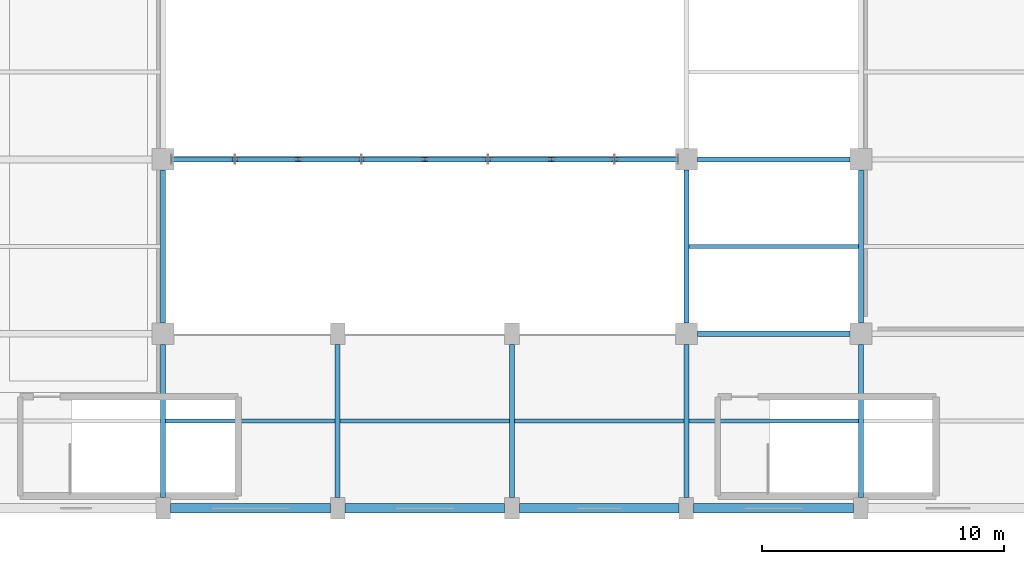
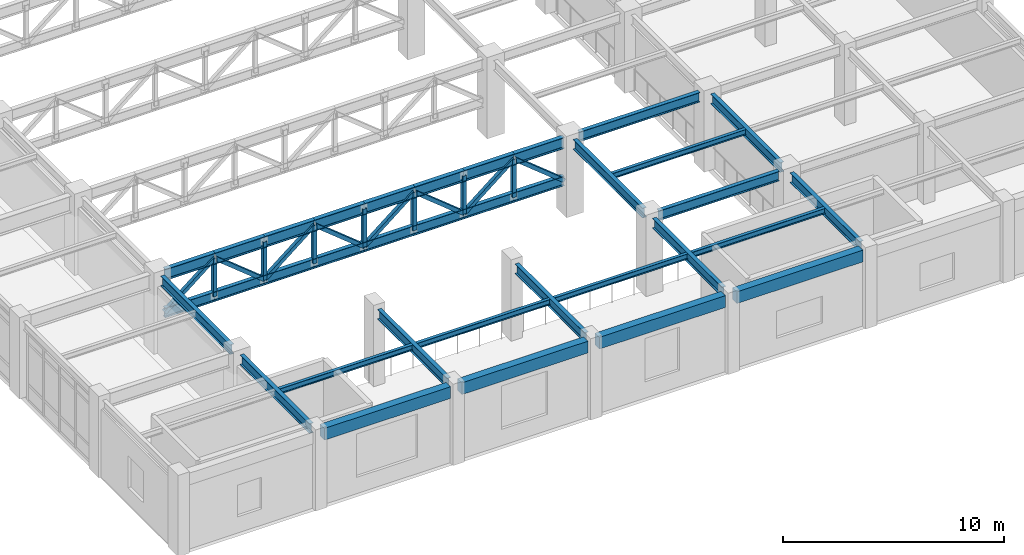
# One storey, part 47 of 106: 31 members, 19 beams.
"""IFC4 building model written with IfcOpenShell, lengths in metres."""

from ifc_helpers import new_model, si_unit, direction, frame, origin, origin_2d, place, context, subcontext, project, spatial, rectangle, hollow_rectangle, i_section, extrude, material, material_profile, profile_set, type_object, element, save


model = new_model("IFC4")

# Units and contexts
model_context = context("Model", 3, precision=1e-05, world=origin(), true_north=direction((0.0, 1.0)))
body_context = subcontext(model_context, "Body", "Model", "MODEL_VIEW")
ifc_project = project(units=[si_unit("LENGTHUNIT", "METRE"), si_unit("AREAUNIT", "SQUARE_METRE"), si_unit("VOLUMEUNIT", "CUBIC_METRE"), si_unit("PLANEANGLEUNIT", "RADIAN"), si_unit("MASSUNIT", "GRAM", prefix="KILO")], contexts=[model_context])

# Site, building, storey
site_placement = place(None, origin())
site = spatial("IfcSite", under=ifc_project, at=site_placement, CompositionType="ELEMENT")
building_placement = place(site_placement, origin())
building = spatial("IfcBuilding", under=site, at=building_placement, Name="Carrowvane Square Congress Hotel", CompositionType="ELEMENT")
storey_placement = place(building_placement, frame((0.0, 0.0, 10.5)))
storey = spatial("IfcBuildingStorey", under=building, at=storey_placement, Name="L02", CompositionType="ELEMENT", Elevation=10.5)

# Beams
ifc_material_1 = material(Name="Steel S355", Category="steel")
ifc_material_profile_1 = material_profile(ifc_material_1, i_section(OverallWidth=0.165771484375, OverallDepth=0.306640625, WebThickness=0.006591796875, FlangeThickness=0.01171875, FilletRadius=0.0087890625, at=origin_2d()), Name="UKB 305x165x46")
ifc_profile_set_1 = profile_set([ifc_material_profile_1], Name="Steel S355")
beam_type_1 = type_object("IfcBeamType", Name="BM-ST-UKB305", PredefinedType="JOIST", material=ifc_profile_set_1)
beam_1_placement = place(storey_placement, frame((141.304931640625, 9.0, 4.066650390625), z_axis=(1.0, 0.0, 0.0), x_axis=(0.0, 1.0, 0.0)))
element("IfcBeam", 1, at=beam_1_placement, inside=storey, type_object=beam_type_1, Name="L03 secondary joist 19-20", PredefinedType="JOIST", context=body_context, shape_type="SweptSolid", body=[
    extrude(i_section(OverallWidth=0.165771484375, OverallDepth=0.306640625, WebThickness=0.006591796875, FlangeThickness=0.01171875, FilletRadius=0.0087890625, at=origin_2d()), origin(), (0.0, 0.0, 1.0), 6.989990234375),
])
beam_2_placement = place(storey_placement, frame((148.5048828125, 9.0, 4.066650390625), z_axis=(1.0, 0.0, 0.0), x_axis=(0.0, 1.0, 0.0)))
element("IfcBeam", 2, at=beam_2_placement, inside=storey, type_object=beam_type_1, Name="L03 secondary joist 20-21", PredefinedType="JOIST", context=body_context, shape_type="SweptSolid", body=[
    extrude(i_section(OverallWidth=0.165771484375, OverallDepth=0.306640625, WebThickness=0.006591796875, FlangeThickness=0.01171875, FilletRadius=0.0087890625, at=origin_2d()), origin(), (0.0, 0.0, 1.0), 6.990234375),
])
for number, where, z_axis, x_axis, name in (
    (3, (155.705078125, 9.0, 4.066650390625), (1.0, 0.0, 0.0), (0.0, 1.0, 0.0), "L03 secondary joist 21-22"),
    (4, (162.905029296875, 9.0, 4.066650390625), (1.0, 0.0, 0.0), (0.0, 1.0, 0.0), "L03 secondary joist 22-23"),
    (5, (162.905029296875, 16.199951171875, 4.066650390625), (1.0, 0.0, 0.0), (0.0, 1.0, 0.0), "L03 secondary joist 22-23"),
):
    element("IfcBeam", number, at=place(storey_placement, frame(where, z_axis=z_axis, x_axis=x_axis)), inside=storey, type_object=beam_type_1, Name=name, PredefinedType="JOIST", context=body_context, shape_type="SweptSolid", body=[
        extrude(i_section(OverallWidth=0.165771484375, OverallDepth=0.306640625, WebThickness=0.006591796875, FlangeThickness=0.01171875, FilletRadius=0.0087890625, at=origin_2d()), origin(), (0.0, 0.0, 1.0), 6.989990234375),
    ])
ifc_material_2 = material(Name="Steel S355", Category="steel")
ifc_material_profile_2 = material_profile(ifc_material_2, i_section(OverallWidth=0.2099609375, OverallDepth=0.53662109375, WebThickness=0.0107421875, FlangeThickness=0.017333984375, FilletRadius=0.0126953125, at=origin_2d()), Name="UKB 533x210x101")
ifc_profile_set_2 = profile_set([ifc_material_profile_2], Name="Steel S355")
beam_type_2 = type_object("IfcBeamType", Name="BM-ST-UKB533", PredefinedType="USERDEFINED", material=ifc_profile_set_2)
for number, where, z_axis, x_axis, name in (
    (6, (163.25, 12.60009765625, 3.95166015625), (1.0, 0.0, 0.0), (0.0, 1.0, 0.0), "L03 girder B/22-23"),
    (7, (163.25, 19.800048828125, 3.95166015625), (1.0, 0.0, 0.0), (0.0, 1.0, 0.0), "L03 girder C/22-23"),
):
    element("IfcBeam", number, at=place(storey_placement, frame(where, z_axis=z_axis, x_axis=x_axis)), inside=storey, type_object=beam_type_2, Name=name, ObjectType="GIRDER", PredefinedType="USERDEFINED", context=body_context, shape_type="SweptSolid", body=[
        extrude(i_section(OverallWidth=0.2099609375, OverallDepth=0.53662109375, WebThickness=0.0107421875, FlangeThickness=0.017333984375, FilletRadius=0.0126953125, at=origin_2d()), origin(), (0.0, 0.0, 1.0), 6.300048828125),
    ])
beam_3_placement = place(storey_placement, frame((141.199951171875, 5.85009765625, 3.95166015625), z_axis=(0.0, 1.0, 0.0), x_axis=(-1.0, 0.0, 0.0)))
element("IfcBeam", 8, at=beam_3_placement, inside=storey, type_object=beam_type_2, Name="L03 girder 19/A-B", ObjectType="GIRDER", PredefinedType="USERDEFINED", context=body_context, shape_type="SweptSolid", body=[
    extrude(i_section(OverallWidth=0.2099609375, OverallDepth=0.53662109375, WebThickness=0.0107421875, FlangeThickness=0.017333984375, FilletRadius=0.0126953125, at=origin_2d()), origin(), (0.0, 0.0, 1.0), 6.2998046875),
])
beam_4_placement = place(storey_placement, frame((141.199951171875, 13.050048828125, 3.95166015625), z_axis=(0.0, 1.0, 0.0), x_axis=(-1.0, 0.0, 0.0)))
element("IfcBeam", 9, at=beam_4_placement, inside=storey, type_object=beam_type_2, Name="L03 girder 19/B-C", ObjectType="GIRDER", PredefinedType="USERDEFINED", context=body_context, shape_type="SweptSolid", body=[
    extrude(i_section(OverallWidth=0.2099609375, OverallDepth=0.53662109375, WebThickness=0.0107421875, FlangeThickness=0.017333984375, FilletRadius=0.0126953125, at=origin_2d()), origin(), (0.0, 0.0, 1.0), 6.300048828125),
])
for number, where, z_axis, x_axis, name in (
    (10, (148.39990234375, 5.85009765625, 3.95166015625), (0.0, 1.0, 0.0), (-1.0, 0.0, 0.0), "L03 girder 20/A-B"),
    (11, (155.60009765625, 5.85009765625, 3.95166015625), (0.0, 1.0, 0.0), (-1.0, 0.0, 0.0), "L03 girder 21/A-B"),
    (12, (162.800048828125, 5.85009765625, 3.95166015625), (0.0, 1.0, 0.0), (-1.0, 0.0, 0.0), "L03 girder 22/A-B"),
):
    element("IfcBeam", number, at=place(storey_placement, frame(where, z_axis=z_axis, x_axis=x_axis)), inside=storey, type_object=beam_type_2, Name=name, ObjectType="GIRDER", PredefinedType="USERDEFINED", context=body_context, shape_type="SweptSolid", body=[
        extrude(i_section(OverallWidth=0.2099609375, OverallDepth=0.53662109375, WebThickness=0.0107421875, FlangeThickness=0.017333984375, FilletRadius=0.0126953125, at=origin_2d()), origin(), (0.0, 0.0, 1.0), 6.2998046875),
    ])
beam_5_placement = place(storey_placement, frame((162.800048828125, 13.050048828125, 3.95166015625), z_axis=(0.0, 1.0, 0.0), x_axis=(-1.0, 0.0, 0.0)))
element("IfcBeam", 13, at=beam_5_placement, inside=storey, type_object=beam_type_2, Name="L03 girder 22/B-C", ObjectType="GIRDER", PredefinedType="USERDEFINED", context=body_context, shape_type="SweptSolid", body=[
    extrude(i_section(OverallWidth=0.2099609375, OverallDepth=0.53662109375, WebThickness=0.0107421875, FlangeThickness=0.017333984375, FilletRadius=0.0126953125, at=origin_2d()), origin(), (0.0, 0.0, 1.0), 6.300048828125),
])
beam_6_placement = place(storey_placement, frame((170.0, 5.85009765625, 3.95166015625), z_axis=(0.0, 1.0, 0.0), x_axis=(-1.0, 0.0, 0.0)))
element("IfcBeam", 14, at=beam_6_placement, inside=storey, type_object=beam_type_2, Name="L03 girder 23/A-B", ObjectType="GIRDER", PredefinedType="USERDEFINED", context=body_context, shape_type="SweptSolid", body=[
    extrude(i_section(OverallWidth=0.2099609375, OverallDepth=0.53662109375, WebThickness=0.0107421875, FlangeThickness=0.017333984375, FilletRadius=0.0126953125, at=origin_2d()), origin(), (0.0, 0.0, 1.0), 6.2998046875),
])
beam_7_placement = place(storey_placement, frame((170.0, 13.050048828125, 3.95166015625), z_axis=(0.0, 1.0, 0.0), x_axis=(-1.0, 0.0, 0.0)))
element("IfcBeam", 15, at=beam_7_placement, inside=storey, type_object=beam_type_2, Name="L03 girder 23/B-C", ObjectType="GIRDER", PredefinedType="USERDEFINED", context=body_context, shape_type="SweptSolid", body=[
    extrude(i_section(OverallWidth=0.2099609375, OverallDepth=0.53662109375, WebThickness=0.0107421875, FlangeThickness=0.017333984375, FilletRadius=0.0126953125, at=origin_2d()), origin(), (0.0, 0.0, 1.0), 6.300048828125),
])

# Members
ifc_material_3 = material(Name="Steel S355", Category="steel")
ifc_material_profile_3 = material_profile(ifc_material_3, hollow_rectangle(XDim=0.199951171875, YDim=0.199951171875, WallThickness=0.012451171875, at=origin_2d()), Name="SHS 200x200x12.5")
ifc_profile_set_3 = profile_set([ifc_material_profile_3], Name="Steel S355")
member_type_1 = type_object("IfcMemberType", Name="MEM-BR-SHS200", PredefinedType="BRACE", material=ifc_profile_set_3)
member_1_placement = place(storey_placement, frame((141.550048828125, 19.800048828125, 1.800048828125), z_axis=(0.777980816374, 0.0, 0.628288030567), x_axis=(0.0, 1.0, 0.0)))
element("IfcMember", 16, at=member_1_placement, inside=storey, type_object=member_type_1, Name="Ballroom truss diagonal 3", PredefinedType="BRACE", context=body_context, shape_type="SweptSolid", body=[
    extrude(hollow_rectangle(XDim=0.199951171875, YDim=0.199951171875, WallThickness=0.012451171875, at=origin_2d()), origin(), (0.0, 0.0, 1.0), 3.358154296875),
])
member_2_placement = place(storey_placement, frame((144.16259765625, 19.800048828125, 3.909912109375), z_axis=(0.777952115247, 0.0, -0.628323568221), x_axis=(0.0, 1.0, 0.0)))
element("IfcMember", 17, at=member_2_placement, inside=storey, type_object=member_type_1, Name="Ballroom truss diagonal 6", PredefinedType="BRACE", context=body_context, shape_type="SweptSolid", body=[
    extrude(hollow_rectangle(XDim=0.199951171875, YDim=0.199951171875, WallThickness=0.012451171875, at=origin_2d()), origin(), (0.0, 0.0, 1.0), 3.35791015625),
])
for number, where, z_axis, x_axis, name in (
    (18, (146.77490234375, 19.800048828125, 1.800048828125), (0.777980816374, 0.0, 0.628288030567), (0.0, 1.0, 0.0), "Ballroom truss diagonal 10"),
    (19, (149.387451171875, 19.800048828125, 3.909912109375), (0.777980816374, 0.0, -0.628288030567), (0.0, 1.0, 0.0), "Ballroom truss diagonal 14"),
    (20, (152.0, 19.800048828125, 1.800048828125), (0.777980816374, 0.0, 0.628288030567), (0.0, 1.0, 0.0), "Ballroom truss diagonal 18"),
    (21, (154.612548828125, 19.800048828125, 3.909912109375), (0.777980816374, 0.0, -0.628288030567), (0.0, 1.0, 0.0), "Ballroom truss diagonal 22"),
):
    element("IfcMember", number, at=place(storey_placement, frame(where, z_axis=z_axis, x_axis=x_axis)), inside=storey, type_object=member_type_1, Name=name, PredefinedType="BRACE", context=body_context, shape_type="SweptSolid", body=[
        extrude(hollow_rectangle(XDim=0.199951171875, YDim=0.199951171875, WallThickness=0.012451171875, at=origin_2d()), origin(), (0.0, 0.0, 1.0), 3.358154296875),
    ])
member_3_placement = place(storey_placement, frame((157.22509765625, 19.800048828125, 1.800048828125), z_axis=(0.777952115247, 0.0, 0.628323568221), x_axis=(0.0, 1.0, 0.0)))
element("IfcMember", 22, at=member_3_placement, inside=storey, type_object=member_type_1, Name="Ballroom truss diagonal 26", PredefinedType="BRACE", context=body_context, shape_type="SweptSolid", body=[
    extrude(hollow_rectangle(XDim=0.199951171875, YDim=0.199951171875, WallThickness=0.012451171875, at=origin_2d()), origin(), (0.0, 0.0, 1.0), 3.35791015625),
])
member_4_placement = place(storey_placement, frame((159.83740234375, 19.800048828125, 3.909912109375), z_axis=(0.777980816374, 0.0, -0.628288030567), x_axis=(0.0, 1.0, 0.0)))
element("IfcMember", 23, at=member_4_placement, inside=storey, type_object=member_type_1, Name="Ballroom truss diagonal 30", PredefinedType="BRACE", context=body_context, shape_type="SweptSolid", body=[
    extrude(hollow_rectangle(XDim=0.199951171875, YDim=0.199951171875, WallThickness=0.012451171875, at=origin_2d()), origin(), (0.0, 0.0, 1.0), 3.358154296875),
])
ifc_material_4 = material(Name="Steel S355", Category="steel")
ifc_material_profile_4 = material_profile(ifc_material_4, hollow_rectangle(XDim=0.199951171875, YDim=0.199951171875, WallThickness=0.012451171875, at=origin_2d()), Name="SHS 200x200x12.5")
ifc_profile_set_4 = profile_set([ifc_material_profile_4], Name="Steel S355")
member_type_2 = type_object("IfcMemberType", Name="MEM-ST-SHS200", PredefinedType="STRUT", material=ifc_profile_set_4)
for number, where, z_axis, x_axis, name in (
    (24, (144.16259765625, 19.800048828125, 1.800048828125), (0.0, 0.0, 1.0), (1.0, 0.0, 0.0), "Ballroom truss vertical 7"),
    (25, (146.77490234375, 19.800048828125, 1.800048828125), (0.0, 0.0, 1.0), (1.0, 0.0, 0.0), "Ballroom truss vertical 11"),
    (26, (149.387451171875, 19.800048828125, 1.800048828125), (0.0, 0.0, 1.0), (1.0, 0.0, 0.0), "Ballroom truss vertical 15"),
    (27, (152.0, 19.800048828125, 1.800048828125), (0.0, 0.0, 1.0), (1.0, 0.0, 0.0), "Ballroom truss vertical 19"),
    (28, (154.612548828125, 19.800048828125, 1.800048828125), (0.0, 0.0, 1.0), (1.0, 0.0, 0.0), "Ballroom truss vertical 23"),
    (29, (157.22509765625, 19.800048828125, 1.800048828125), (0.0, 0.0, 1.0), (1.0, 0.0, 0.0), "Ballroom truss vertical 27"),
    (30, (159.83740234375, 19.800048828125, 1.800048828125), (0.0, 0.0, 1.0), (1.0, 0.0, 0.0), "Ballroom truss vertical 31"),
):
    element("IfcMember", number, at=place(storey_placement, frame(where, z_axis=z_axis, x_axis=x_axis)), inside=storey, type_object=member_type_2, Name=name, PredefinedType="STRUT", context=body_context, shape_type="SweptSolid", body=[
        extrude(hollow_rectangle(XDim=0.199951171875, YDim=0.199951171875, WallThickness=0.012451171875, at=origin_2d()), origin(), (0.0, 0.0, 1.0), 2.10986328125),
    ])
ifc_material_5 = material(Name="Steel S355", Category="steel")
ifc_material_profile_5 = material_profile(ifc_material_5, i_section(OverallWidth=0.2099609375, OverallDepth=0.53662109375, WebThickness=0.0107421875, FlangeThickness=0.017333984375, FilletRadius=0.0126953125, at=origin_2d()), Name="UKB 533x210x101")
ifc_profile_set_5 = profile_set([ifc_material_profile_5], Name="Steel S355")
member_type_3 = type_object("IfcMemberType", Name="MEM-TC-UKB533", PredefinedType="CHORD", material=ifc_profile_set_5)
member_5_placement = place(storey_placement, frame((141.550048828125, 19.800048828125, 1.800048828125), z_axis=(1.0, 0.0, 0.0), x_axis=(0.0, 1.0, 0.0)))
element("IfcMember", 31, at=member_5_placement, inside=storey, type_object=member_type_3, Name="Ballroom truss bottom chord 2", PredefinedType="CHORD", context=body_context, shape_type="SweptSolid", body=[
    extrude(i_section(OverallWidth=0.2099609375, OverallDepth=0.53662109375, WebThickness=0.0107421875, FlangeThickness=0.017333984375, FilletRadius=0.0126953125, at=origin_2d()), origin(), (0.0, 0.0, 1.0), 2.612548828125),
])
member_6_placement = place(storey_placement, frame((144.16259765625, 19.800048828125, 1.800048828125), z_axis=(1.0, 0.0, 0.0), x_axis=(0.0, 1.0, 0.0)))
element("IfcMember", 32, at=member_6_placement, inside=storey, type_object=member_type_3, Name="Ballroom truss bottom chord 5", PredefinedType="CHORD", context=body_context, shape_type="SweptSolid", body=[
    extrude(i_section(OverallWidth=0.2099609375, OverallDepth=0.53662109375, WebThickness=0.0107421875, FlangeThickness=0.017333984375, FilletRadius=0.0126953125, at=origin_2d()), origin(), (0.0, 0.0, 1.0), 2.6123046875),
])
for number, where, z_axis, x_axis, name in (
    (33, (146.77490234375, 19.800048828125, 1.800048828125), (1.0, 0.0, 0.0), (0.0, 1.0, 0.0), "Ballroom truss bottom chord 9"),
    (34, (149.387451171875, 19.800048828125, 1.800048828125), (1.0, 0.0, 0.0), (0.0, 1.0, 0.0), "Ballroom truss bottom chord 13"),
    (35, (152.0, 19.800048828125, 1.800048828125), (1.0, 0.0, 0.0), (0.0, 1.0, 0.0), "Ballroom truss bottom chord 17"),
    (36, (154.612548828125, 19.800048828125, 1.800048828125), (1.0, 0.0, 0.0), (0.0, 1.0, 0.0), "Ballroom truss bottom chord 21"),
):
    element("IfcMember", number, at=place(storey_placement, frame(where, z_axis=z_axis, x_axis=x_axis)), inside=storey, type_object=member_type_3, Name=name, PredefinedType="CHORD", context=body_context, shape_type="SweptSolid", body=[
        extrude(i_section(OverallWidth=0.2099609375, OverallDepth=0.53662109375, WebThickness=0.0107421875, FlangeThickness=0.017333984375, FilletRadius=0.0126953125, at=origin_2d()), origin(), (0.0, 0.0, 1.0), 2.612548828125),
    ])
member_7_placement = place(storey_placement, frame((157.22509765625, 19.800048828125, 1.800048828125), z_axis=(1.0, 0.0, 0.0), x_axis=(0.0, 1.0, 0.0)))
element("IfcMember", 37, at=member_7_placement, inside=storey, type_object=member_type_3, Name="Ballroom truss bottom chord 25", PredefinedType="CHORD", context=body_context, shape_type="SweptSolid", body=[
    extrude(i_section(OverallWidth=0.2099609375, OverallDepth=0.53662109375, WebThickness=0.0107421875, FlangeThickness=0.017333984375, FilletRadius=0.0126953125, at=origin_2d()), origin(), (0.0, 0.0, 1.0), 2.6123046875),
])
member_8_placement = place(storey_placement, frame((159.83740234375, 19.800048828125, 1.800048828125), z_axis=(1.0, 0.0, 0.0), x_axis=(0.0, 1.0, 0.0)))
element("IfcMember", 38, at=member_8_placement, inside=storey, type_object=member_type_3, Name="Ballroom truss bottom chord 29", PredefinedType="CHORD", context=body_context, shape_type="SweptSolid", body=[
    extrude(i_section(OverallWidth=0.2099609375, OverallDepth=0.53662109375, WebThickness=0.0107421875, FlangeThickness=0.017333984375, FilletRadius=0.0126953125, at=origin_2d()), origin(), (0.0, 0.0, 1.0), 2.612548828125),
])
ifc_material_6 = material(Name="Steel S355", Category="steel")
ifc_material_profile_6 = material_profile(ifc_material_6, i_section(OverallWidth=0.230224609375, OverallDepth=0.6171875, WebThickness=0.01318359375, FlangeThickness=0.022216796875, FilletRadius=0.0126953125, at=origin_2d()), Name="UKB 610x229x140")
ifc_profile_set_6 = profile_set([ifc_material_profile_6], Name="Steel S355")
member_type_4 = type_object("IfcMemberType", Name="MEM-TC-UKB610", PredefinedType="CHORD", material=ifc_profile_set_6)
member_9_placement = place(storey_placement, frame((141.550048828125, 19.800048828125, 3.909912109375), z_axis=(1.0, 0.0, 0.0), x_axis=(0.0, 1.0, 0.0)))
element("IfcMember", 39, at=member_9_placement, inside=storey, type_object=member_type_4, Name="Ballroom truss top chord 1", PredefinedType="CHORD", context=body_context, shape_type="SweptSolid", body=[
    extrude(i_section(OverallWidth=0.230224609375, OverallDepth=0.6171875, WebThickness=0.01318359375, FlangeThickness=0.022216796875, FilletRadius=0.0126953125, at=origin_2d()), origin(), (0.0, 0.0, 1.0), 2.612548828125),
])
member_10_placement = place(storey_placement, frame((144.16259765625, 19.800048828125, 3.909912109375), z_axis=(1.0, 0.0, 0.0), x_axis=(0.0, 1.0, 0.0)))
element("IfcMember", 40, at=member_10_placement, inside=storey, type_object=member_type_4, Name="Ballroom truss top chord 4", PredefinedType="CHORD", context=body_context, shape_type="SweptSolid", body=[
    extrude(i_section(OverallWidth=0.230224609375, OverallDepth=0.6171875, WebThickness=0.01318359375, FlangeThickness=0.022216796875, FilletRadius=0.0126953125, at=origin_2d()), origin(), (0.0, 0.0, 1.0), 2.6123046875),
])
for number, where, z_axis, x_axis, name in (
    (41, (146.77490234375, 19.800048828125, 3.909912109375), (1.0, 0.0, 0.0), (0.0, 1.0, 0.0), "Ballroom truss top chord 8"),
    (42, (149.387451171875, 19.800048828125, 3.909912109375), (1.0, 0.0, 0.0), (0.0, 1.0, 0.0), "Ballroom truss top chord 12"),
    (43, (152.0, 19.800048828125, 3.909912109375), (1.0, 0.0, 0.0), (0.0, 1.0, 0.0), "Ballroom truss top chord 16"),
    (44, (154.612548828125, 19.800048828125, 3.909912109375), (1.0, 0.0, 0.0), (0.0, 1.0, 0.0), "Ballroom truss top chord 20"),
):
    element("IfcMember", number, at=place(storey_placement, frame(where, z_axis=z_axis, x_axis=x_axis)), inside=storey, type_object=member_type_4, Name=name, PredefinedType="CHORD", context=body_context, shape_type="SweptSolid", body=[
        extrude(i_section(OverallWidth=0.230224609375, OverallDepth=0.6171875, WebThickness=0.01318359375, FlangeThickness=0.022216796875, FilletRadius=0.0126953125, at=origin_2d()), origin(), (0.0, 0.0, 1.0), 2.612548828125),
    ])
member_11_placement = place(storey_placement, frame((157.22509765625, 19.800048828125, 3.909912109375), z_axis=(1.0, 0.0, 0.0), x_axis=(0.0, 1.0, 0.0)))
element("IfcMember", 45, at=member_11_placement, inside=storey, type_object=member_type_4, Name="Ballroom truss top chord 24", PredefinedType="CHORD", context=body_context, shape_type="SweptSolid", body=[
    extrude(i_section(OverallWidth=0.230224609375, OverallDepth=0.6171875, WebThickness=0.01318359375, FlangeThickness=0.022216796875, FilletRadius=0.0126953125, at=origin_2d()), origin(), (0.0, 0.0, 1.0), 2.6123046875),
])
member_12_placement = place(storey_placement, frame((159.83740234375, 19.800048828125, 3.909912109375), z_axis=(1.0, 0.0, 0.0), x_axis=(0.0, 1.0, 0.0)))
element("IfcMember", 46, at=member_12_placement, inside=storey, type_object=member_type_4, Name="Ballroom truss top chord 28", PredefinedType="CHORD", context=body_context, shape_type="SweptSolid", body=[
    extrude(i_section(OverallWidth=0.230224609375, OverallDepth=0.6171875, WebThickness=0.01318359375, FlangeThickness=0.022216796875, FilletRadius=0.0126953125, at=origin_2d()), origin(), (0.0, 0.0, 1.0), 2.612548828125),
])

# Beams
ifc_material_7 = material(Name="Concrete C35/45", Category="concrete")
ifc_material_profile_7 = material_profile(ifc_material_7, rectangle(XDim=0.39990234375, YDim=0.64990234375, at=origin_2d()), Name="RC 400x650")
ifc_profile_set_7 = profile_set([ifc_material_profile_7], Name="Concrete C35/45")
beam_type_3 = type_object("IfcBeamType", Name="SP-RC-400x650", PredefinedType="SPANDREL", material=ifc_profile_set_7)
for number, where, z_axis, x_axis, name in (
    (47, (141.5, 5.39990234375, 3.89501953125), (1.0, 0.0, 0.0), (0.0, 1.0, 0.0), "L03 girder A/19-20"),
    (48, (148.699951171875, 5.39990234375, 3.89501953125), (1.0, 0.0, 0.0), (0.0, 1.0, 0.0), "L03 girder A/20-21"),
    (49, (155.89990234375, 5.39990234375, 3.89501953125), (1.0, 0.0, 0.0), (0.0, 1.0, 0.0), "L03 girder A/21-22"),
):
    element("IfcBeam", number, at=place(storey_placement, frame(where, z_axis=z_axis, x_axis=x_axis)), inside=storey, type_object=beam_type_3, Name=name, PredefinedType="SPANDREL", context=body_context, shape_type="SweptSolid", body=[
        extrude(rectangle(XDim=0.39990234375, YDim=0.64990234375, at=origin_2d()), origin(), (0.0, 0.0, 1.0), 6.60009765625),
    ])
beam_8_placement = place(storey_placement, frame((163.10009765625, 5.39990234375, 3.89501953125), z_axis=(1.0, 0.0, 0.0), x_axis=(0.0, 1.0, 0.0)))
element("IfcBeam", 50, at=beam_8_placement, inside=storey, type_object=beam_type_3, Name="L03 girder A/22-23", PredefinedType="SPANDREL", context=body_context, shape_type="SweptSolid", body=[
    extrude(rectangle(XDim=0.39990234375, YDim=0.64990234375, at=origin_2d()), origin(), (0.0, 0.0, 1.0), 6.599853515625),
])

save(model, "model.ifc")
